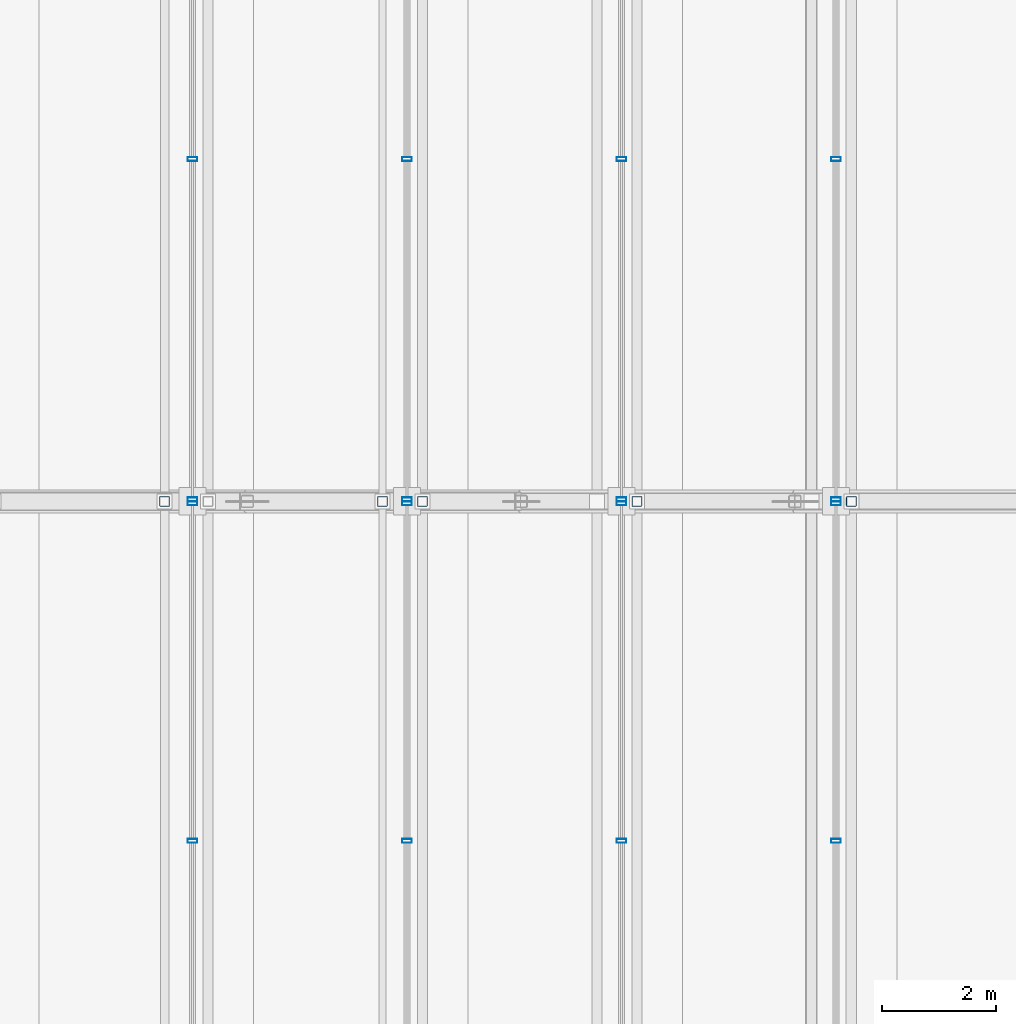
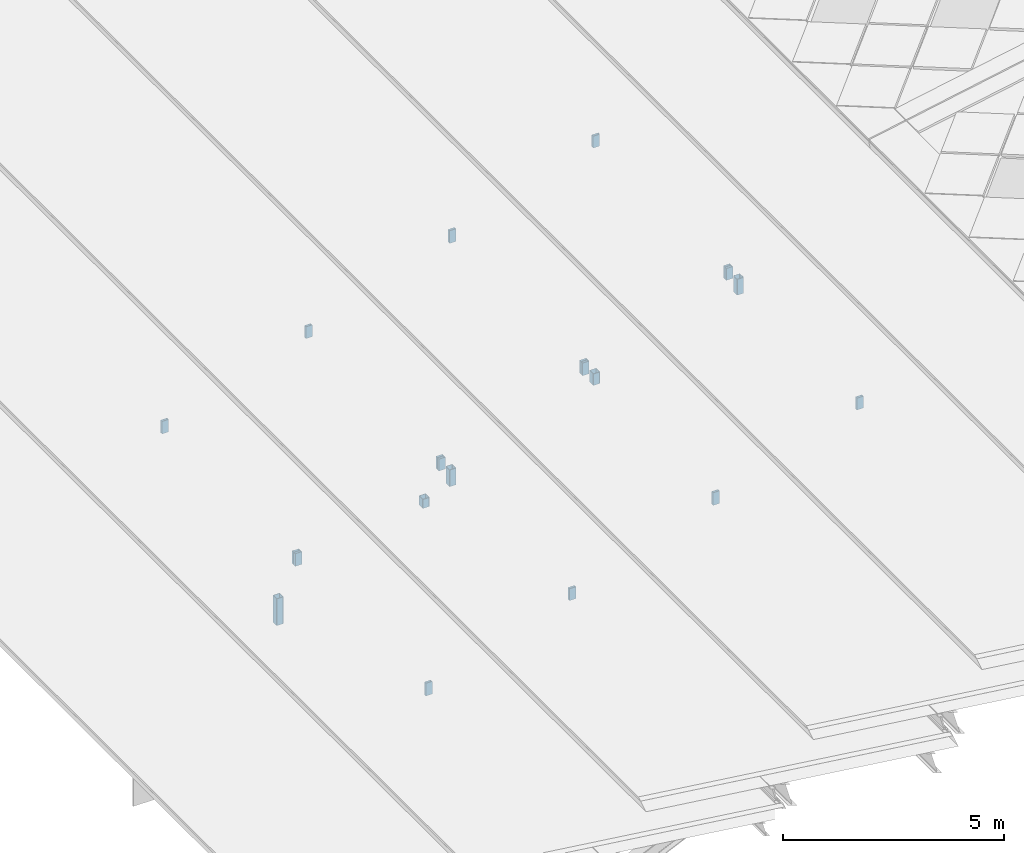
# One storey, part 56 of 117: 21 members, 8 elements without a shape of their own.
"""IFC4 building model written with IfcOpenShell, lengths in metres."""

from ifc_helpers import new_model, si_unit, direction, frame, origin, origin_2d, place, context, subcontext, project, spatial, hollow_rectangle, extrude, material, material_profile, profile_set, type_object, element, aggregate, save


model = new_model("IFC4")

# Units and contexts
model_context = context("Model", 3, precision=1e-05, world=origin(), true_north=direction((0.0, 1.0)))
body_context = subcontext(model_context, "Body", "Model", "MODEL_VIEW")
ifc_project = project(units=[si_unit("LENGTHUNIT", "METRE"), si_unit("AREAUNIT", "SQUARE_METRE"), si_unit("VOLUMEUNIT", "CUBIC_METRE"), si_unit("PLANEANGLEUNIT", "RADIAN"), si_unit("MASSUNIT", "GRAM", prefix="KILO")], contexts=[model_context])

# Site, building, storey
site_placement = place(None, origin())
site = spatial("IfcSite", under=ifc_project, at=site_placement, CompositionType="ELEMENT")
building_placement = place(site_placement, origin())
building = spatial("IfcBuilding", under=site, at=building_placement, Name="Merenkruunu Market Hall", CompositionType="ELEMENT")
storey_placement = place(building_placement, frame((0.0, 0.0, 22.800048828125)))
storey = spatial("IfcBuildingStorey", under=building, at=storey_placement, Name="RF", CompositionType="ELEMENT", Elevation=22.800048828125)

# Curtain wall, members
ifc_material_1 = material(Name="Powder-coated aluminium", Category="aluminium")
curtain_wall_type = type_object("IfcCurtainWallType", Name="Clerestory Curtain Band CL05", PredefinedType="USERDEFINED", material=ifc_material_1)
curtain_wall_1_placement = place(storey_placement, origin())
curtain_wall_1 = element("IfcCurtainWall", 1, at=curtain_wall_1_placement, inside=storey, type_object=curtain_wall_type, Name="CW-RF-CWM04-081", ObjectType="CLERESTORY_BAND", PredefinedType="USERDEFINED")
ifc_material_profile_1 = material_profile(ifc_material_1, hollow_rectangle(XDim=0.070068359375, YDim=0.169921875, WallThickness=0.0048828125, at=origin_2d()), Name="ALU 70x170x5")
ifc_profile_set_1 = profile_set([ifc_material_profile_1], Name="Powder-coated aluminium")
member_type_1 = type_object("IfcMemberType", Name="Curtain Wall Mullion CWM04", PredefinedType="MULLION", material=ifc_profile_set_1)
member_1_placement = place(storey_placement, frame((3.840087890625, 33.64990234375, -6.52197265625), z_axis=(0.0, 0.0, 1.0), x_axis=(0.0, 1.0, 0.0)))
member_1 = element("IfcMember", 2, at=member_1_placement, type_object=member_type_1, Name="CL05 mullion 4", PredefinedType="MULLION", context=body_context, shape_type="SweptSolid", body=[
    extrude(hollow_rectangle(XDim=0.070068359375, YDim=0.169921875, WallThickness=0.0048828125, at=origin_2d()), origin(), (0.0, 0.0, 1.0), 0.347900390625),
])
member_2_placement = place(storey_placement, frame((3.840087890625, 39.56494140625, -6.52197265625), z_axis=(0.0, 0.0, 1.0), x_axis=(0.0, 1.0, 0.0)))
member_2 = element("IfcMember", 3, at=member_2_placement, type_object=member_type_1, Name="CL05 mullion 5", PredefinedType="MULLION", context=body_context, shape_type="SweptSolid", body=[
    extrude(hollow_rectangle(XDim=0.070068359375, YDim=0.169921875, WallThickness=0.0048828125, at=origin_2d()), origin(), (0.0, 0.0, 1.0), 0.347900390625),
])
aggregate(curtain_wall_1, [member_1, member_2])

curtain_wall_2_placement = place(storey_placement, origin())
curtain_wall_2 = element("IfcCurtainWall", 4, at=curtain_wall_2_placement, inside=storey, type_object=curtain_wall_type, Name="CW-RF-CWM04-083", ObjectType="CLERESTORY_BAND", PredefinedType="USERDEFINED")
member_3_placement = place(storey_placement, frame((3.840087890625, 39.635009765625, -6.52197265625), z_axis=(0.0, 0.0, 1.0), x_axis=(0.0, 1.0, 0.0)))
member_3 = element("IfcMember", 5, at=member_3_placement, type_object=member_type_1, Name="CL05 mullion 1", PredefinedType="MULLION", context=body_context, shape_type="SweptSolid", body=[
    extrude(hollow_rectangle(XDim=0.070068359375, YDim=0.169921875, WallThickness=0.0048828125, at=origin_2d()), origin(), (0.0, 0.0, 1.0), 0.347900390625),
])
member_4_placement = place(storey_placement, frame((3.840087890625, 45.60009765625, -6.52197265625), z_axis=(0.0, 0.0, 1.0), x_axis=(0.0, 1.0, 0.0)))
member_4 = element("IfcMember", 6, at=member_4_placement, type_object=member_type_1, Name="CL05 mullion 2", PredefinedType="MULLION", context=body_context, shape_type="SweptSolid", body=[
    extrude(hollow_rectangle(XDim=0.070068359375, YDim=0.169921875, WallThickness=0.0048828125, at=origin_2d()), origin(), (0.0, 0.0, 1.0), 0.347900390625),
])
aggregate(curtain_wall_2, [member_3, member_4])

curtain_wall_3_placement = place(storey_placement, origin())
curtain_wall_3 = element("IfcCurtainWall", 7, at=curtain_wall_3_placement, inside=storey, type_object=curtain_wall_type, Name="CW-RF-CWM04-089", ObjectType="CLERESTORY_BAND", PredefinedType="USERDEFINED")
member_5_placement = place(storey_placement, frame((7.60009765625, 33.64990234375, -5.2021484375), z_axis=(0.0, 0.0, 1.0), x_axis=(0.0, 1.0, 0.0)))
member_5 = element("IfcMember", 8, at=member_5_placement, type_object=member_type_1, Name="CL05 mullion 4", PredefinedType="MULLION", context=body_context, shape_type="SweptSolid", body=[
    extrude(hollow_rectangle(XDim=0.070068359375, YDim=0.169921875, WallThickness=0.0048828125, at=origin_2d()), origin(), (0.0, 0.0, 1.0), 0.3271484375),
])
member_6_placement = place(storey_placement, frame((7.60009765625, 39.56494140625, -5.2021484375), z_axis=(0.0, 0.0, 1.0), x_axis=(0.0, 1.0, 0.0)))
member_6 = element("IfcMember", 9, at=member_6_placement, type_object=member_type_1, Name="CL05 mullion 5", PredefinedType="MULLION", context=body_context, shape_type="SweptSolid", body=[
    extrude(hollow_rectangle(XDim=0.070068359375, YDim=0.169921875, WallThickness=0.0048828125, at=origin_2d()), origin(), (0.0, 0.0, 1.0), 0.3271484375),
])
aggregate(curtain_wall_3, [member_5, member_6])

curtain_wall_4_placement = place(storey_placement, origin())
curtain_wall_4 = element("IfcCurtainWall", 10, at=curtain_wall_4_placement, inside=storey, type_object=curtain_wall_type, Name="CW-RF-CWM04-091", ObjectType="CLERESTORY_BAND", PredefinedType="USERDEFINED")
member_7_placement = place(storey_placement, frame((7.60009765625, 39.635009765625, -5.2021484375), z_axis=(0.0, 0.0, 1.0), x_axis=(0.0, 1.0, 0.0)))
member_7 = element("IfcMember", 11, at=member_7_placement, type_object=member_type_1, Name="CL05 mullion 1", PredefinedType="MULLION", context=body_context, shape_type="SweptSolid", body=[
    extrude(hollow_rectangle(XDim=0.070068359375, YDim=0.169921875, WallThickness=0.0048828125, at=origin_2d()), origin(), (0.0, 0.0, 1.0), 0.3271484375),
])
member_8_placement = place(storey_placement, frame((7.60009765625, 45.60009765625, -5.2021484375), z_axis=(0.0, 0.0, 1.0), x_axis=(0.0, 1.0, 0.0)))
member_8 = element("IfcMember", 12, at=member_8_placement, type_object=member_type_1, Name="CL05 mullion 2", PredefinedType="MULLION", context=body_context, shape_type="SweptSolid", body=[
    extrude(hollow_rectangle(XDim=0.070068359375, YDim=0.169921875, WallThickness=0.0048828125, at=origin_2d()), origin(), (0.0, 0.0, 1.0), 0.3271484375),
])
aggregate(curtain_wall_4, [member_7, member_8])

curtain_wall_5_placement = place(storey_placement, origin())
curtain_wall_5 = element("IfcCurtainWall", 13, at=curtain_wall_5_placement, inside=storey, type_object=curtain_wall_type, Name="CW-RF-CWM04-097", ObjectType="CLERESTORY_BAND", PredefinedType="USERDEFINED")
member_9_placement = place(storey_placement, frame((11.360107421875, 33.64990234375, -3.882080078125), z_axis=(0.0, 0.0, 1.0), x_axis=(0.0, 1.0, 0.0)))
member_9 = element("IfcMember", 14, at=member_9_placement, type_object=member_type_1, Name="CL05 mullion 4", PredefinedType="MULLION", context=body_context, shape_type="SweptSolid", body=[
    extrude(hollow_rectangle(XDim=0.070068359375, YDim=0.169921875, WallThickness=0.0048828125, at=origin_2d()), origin(), (0.0, 0.0, 1.0), 0.34814453125),
])
member_10_placement = place(storey_placement, frame((11.360107421875, 39.56494140625, -3.882080078125), z_axis=(0.0, 0.0, 1.0), x_axis=(0.0, 1.0, 0.0)))
member_10 = element("IfcMember", 15, at=member_10_placement, type_object=member_type_1, Name="CL05 mullion 5", PredefinedType="MULLION", context=body_context, shape_type="SweptSolid", body=[
    extrude(hollow_rectangle(XDim=0.070068359375, YDim=0.169921875, WallThickness=0.0048828125, at=origin_2d()), origin(), (0.0, 0.0, 1.0), 0.34814453125),
])
aggregate(curtain_wall_5, [member_9, member_10])

curtain_wall_6_placement = place(storey_placement, origin())
curtain_wall_6 = element("IfcCurtainWall", 16, at=curtain_wall_6_placement, inside=storey, type_object=curtain_wall_type, Name="CW-RF-CWM04-099", ObjectType="CLERESTORY_BAND", PredefinedType="USERDEFINED")
member_11_placement = place(storey_placement, frame((11.360107421875, 39.635009765625, -3.882080078125), z_axis=(0.0, 0.0, 1.0), x_axis=(0.0, 1.0, 0.0)))
member_11 = element("IfcMember", 17, at=member_11_placement, type_object=member_type_1, Name="CL05 mullion 1", PredefinedType="MULLION", context=body_context, shape_type="SweptSolid", body=[
    extrude(hollow_rectangle(XDim=0.070068359375, YDim=0.169921875, WallThickness=0.0048828125, at=origin_2d()), origin(), (0.0, 0.0, 1.0), 0.34814453125),
])
member_12_placement = place(storey_placement, frame((11.360107421875, 45.60009765625, -3.882080078125), z_axis=(0.0, 0.0, 1.0), x_axis=(0.0, 1.0, 0.0)))
member_12 = element("IfcMember", 18, at=member_12_placement, type_object=member_type_1, Name="CL05 mullion 2", PredefinedType="MULLION", context=body_context, shape_type="SweptSolid", body=[
    extrude(hollow_rectangle(XDim=0.070068359375, YDim=0.169921875, WallThickness=0.0048828125, at=origin_2d()), origin(), (0.0, 0.0, 1.0), 0.34814453125),
])
aggregate(curtain_wall_6, [member_11, member_12])

curtain_wall_7_placement = place(storey_placement, origin())
curtain_wall_7 = element("IfcCurtainWall", 19, at=curtain_wall_7_placement, inside=storey, type_object=curtain_wall_type, Name="CW-RF-CWM04-105", ObjectType="CLERESTORY_BAND", PredefinedType="USERDEFINED")
member_13_placement = place(storey_placement, frame((15.1201171875, 33.64990234375, -2.56201171875), z_axis=(0.0, 0.0, 1.0), x_axis=(0.0, 1.0, 0.0)))
member_13 = element("IfcMember", 20, at=member_13_placement, type_object=member_type_1, Name="CL05 mullion 4", PredefinedType="MULLION", context=body_context, shape_type="SweptSolid", body=[
    extrude(hollow_rectangle(XDim=0.070068359375, YDim=0.169921875, WallThickness=0.0048828125, at=origin_2d()), origin(), (0.0, 0.0, 1.0), 0.326904296875),
])
member_14_placement = place(storey_placement, frame((15.1201171875, 39.56494140625, -2.56201171875), z_axis=(0.0, 0.0, 1.0), x_axis=(0.0, 1.0, 0.0)))
member_14 = element("IfcMember", 21, at=member_14_placement, type_object=member_type_1, Name="CL05 mullion 5", PredefinedType="MULLION", context=body_context, shape_type="SweptSolid", body=[
    extrude(hollow_rectangle(XDim=0.070068359375, YDim=0.169921875, WallThickness=0.0048828125, at=origin_2d()), origin(), (0.0, 0.0, 1.0), 0.326904296875),
])
aggregate(curtain_wall_7, [member_13, member_14])

curtain_wall_8_placement = place(storey_placement, origin())
curtain_wall_8 = element("IfcCurtainWall", 22, at=curtain_wall_8_placement, inside=storey, type_object=curtain_wall_type, Name="CW-RF-CWM04-107", ObjectType="CLERESTORY_BAND", PredefinedType="USERDEFINED")
member_15_placement = place(storey_placement, frame((15.1201171875, 39.635009765625, -2.56201171875), z_axis=(0.0, 0.0, 1.0), x_axis=(0.0, 1.0, 0.0)))
member_15 = element("IfcMember", 23, at=member_15_placement, type_object=member_type_1, Name="CL05 mullion 1", PredefinedType="MULLION", context=body_context, shape_type="SweptSolid", body=[
    extrude(hollow_rectangle(XDim=0.070068359375, YDim=0.169921875, WallThickness=0.0048828125, at=origin_2d()), origin(), (0.0, 0.0, 1.0), 0.326904296875),
])
member_16_placement = place(storey_placement, frame((15.1201171875, 45.60009765625, -2.56201171875), z_axis=(0.0, 0.0, 1.0), x_axis=(0.0, 1.0, 0.0)))
member_16 = element("IfcMember", 24, at=member_16_placement, type_object=member_type_1, Name="CL05 mullion 2", PredefinedType="MULLION", context=body_context, shape_type="SweptSolid", body=[
    extrude(hollow_rectangle(XDim=0.070068359375, YDim=0.169921875, WallThickness=0.0048828125, at=origin_2d()), origin(), (0.0, 0.0, 1.0), 0.326904296875),
])
aggregate(curtain_wall_8, [member_15, member_16])

# Members
ifc_material_2 = material(Name="Steel S355J2", Category="steel")
ifc_material_profile_2 = material_profile(ifc_material_2, hollow_rectangle(XDim=0.179931640625, YDim=0.179931640625, WallThickness=0.010009765625, InnerFilletRadius=0.010009765625, OuterFilletRadius=0.02001953125, at=origin_2d()), Name="SHS 180x180x10")
ifc_profile_set_2 = profile_set([ifc_material_profile_2], Name="Steel S355J2")
member_type_2 = type_object("IfcMemberType", Name="Diagonal Sway Brace BR05", PredefinedType="BRACE", material=ifc_profile_set_2)
member_17_placement = place(storey_placement, frame((3.35009765625, 39.60009765625, -7.98095703125), z_axis=(0.0, 0.0, 1.0), x_axis=(1.0, 0.0, 0.0)))
element("IfcMember", 25, at=member_17_placement, inside=storey, type_object=member_type_2, Name="TRUSS-AT-3-RISER-W1-2", PredefinedType="BRACE", context=body_context, shape_type="SweptSolid", body=[
    extrude(hollow_rectangle(XDim=0.179931640625, YDim=0.179931640625, WallThickness=0.010009765625, InnerFilletRadius=0.010009765625, OuterFilletRadius=0.02001953125, at=origin_2d()), origin(), (0.0, 0.0, 1.0), 0.741455078125),
])
member_18_placement = place(storey_placement, frame((7.169921875, 39.60009765625, -6.075439453125), z_axis=(0.0, 0.0, 1.0), x_axis=(1.0, 0.0, 0.0)))
element("IfcMember", 26, at=member_18_placement, inside=storey, type_object=member_type_2, Name="TRUSS-AT-3-RISER-W2-2", PredefinedType="BRACE", context=body_context, shape_type="SweptSolid", body=[
    extrude(hollow_rectangle(XDim=0.179931640625, YDim=0.179931640625, WallThickness=0.010009765625, InnerFilletRadius=0.010009765625, OuterFilletRadius=0.02001953125, at=origin_2d()), origin(), (0.0, 0.0, 1.0), 0.25),
])
member_19_placement = place(storey_placement, frame((7.8701171875, 39.60009765625, -5.720947265625), z_axis=(0.0, 0.0, 1.0), x_axis=(1.0, 0.0, 0.0)))
element("IfcMember", 27, at=member_19_placement, inside=storey, type_object=member_type_2, Name="TRUSS-AT-3-RISER-W3-1", PredefinedType="BRACE", context=body_context, shape_type="SweptSolid", body=[
    extrude(hollow_rectangle(XDim=0.179931640625, YDim=0.179931640625, WallThickness=0.010009765625, InnerFilletRadius=0.010009765625, OuterFilletRadius=0.02001953125, at=origin_2d()), origin(), (0.0, 0.0, 1.0), 0.462646484375),
])
member_20_placement = place(storey_placement, frame((11.6298828125, 39.60009765625, -4.23583984375), z_axis=(0.0, 0.0, 1.0), x_axis=(1.0, 0.0, 0.0)))
element("IfcMember", 28, at=member_20_placement, inside=storey, type_object=member_type_2, Name="TRUSS-AT-3-RISER-W4-1", PredefinedType="BRACE", context=body_context, shape_type="SweptSolid", body=[
    extrude(hollow_rectangle(XDim=0.179931640625, YDim=0.179931640625, WallThickness=0.010009765625, InnerFilletRadius=0.010009765625, OuterFilletRadius=0.02001953125, at=origin_2d()), origin(), (0.0, 0.0, 1.0), 0.31787109375),
])
member_21_placement = place(storey_placement, frame((15.389892578125, 39.60009765625, -3.053955078125), z_axis=(0.0, 0.0, 1.0), x_axis=(1.0, 0.0, 0.0)))
element("IfcMember", 29, at=member_21_placement, inside=storey, type_object=member_type_2, Name="TRUSS-AT-3-RISER-W5-1", PredefinedType="BRACE", context=body_context, shape_type="SweptSolid", body=[
    extrude(hollow_rectangle(XDim=0.179931640625, YDim=0.179931640625, WallThickness=0.010009765625, InnerFilletRadius=0.010009765625, OuterFilletRadius=0.02001953125, at=origin_2d()), origin(), (0.0, 0.0, 1.0), 0.435546875),
])

save(model, "model.ifc")
